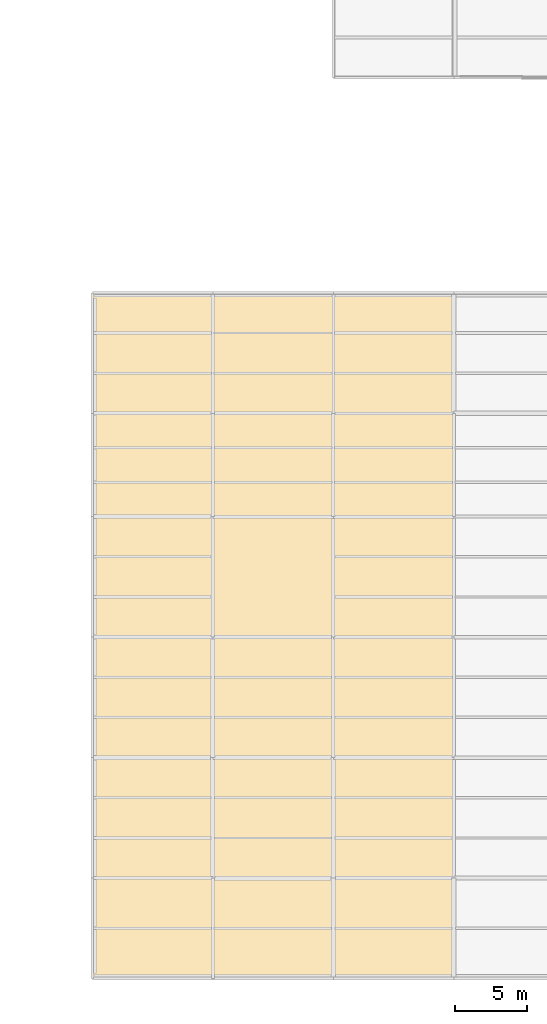
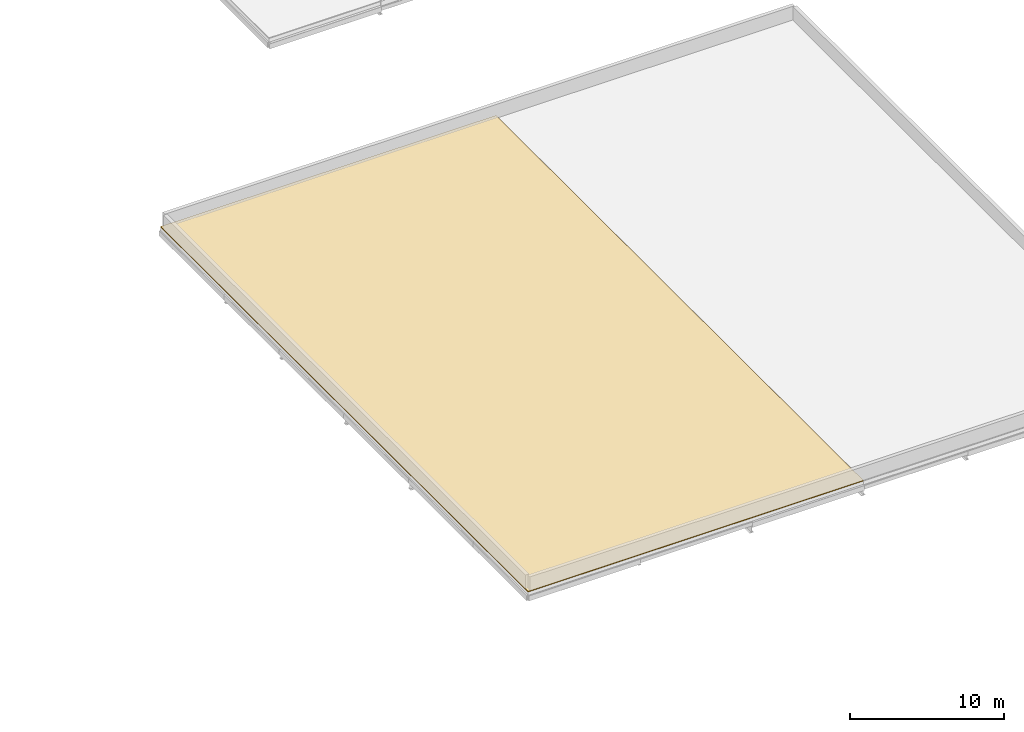
# One storey, part 64 of 68: 1 covering, 1 element without a shape of its own.
"""IFC4 building model written with IfcOpenShell, lengths in metres."""

from ifc_helpers import new_model, si_unit, direction, frame, origin_with_axes, place, context, subcontext, project, spatial, polyline, outline, extrude, material, type_object, element, aggregate, save


model = new_model("IFC4")

# Units and contexts
model_context = context("Model", 3, precision=1e-05, world=origin_with_axes(), true_north=direction((0.0, 1.0)))
body_context = subcontext(model_context, "Body", "Model", "MODEL_VIEW")
ifc_project = project(units=[si_unit("LENGTHUNIT", "METRE"), si_unit("AREAUNIT", "SQUARE_METRE"), si_unit("VOLUMEUNIT", "CUBIC_METRE"), si_unit("PLANEANGLEUNIT", "RADIAN"), si_unit("MASSUNIT", "GRAM", prefix="KILO"), si_unit("THERMODYNAMICTEMPERATUREUNIT", "KELVIN")], contexts=[model_context])

# Site, building, storey
site_placement = place(None, origin_with_axes())
site = spatial("IfcSite", under=ifc_project, at=site_placement, CompositionType="ELEMENT")
building_placement = place(site_placement, origin_with_axes())
building = spatial("IfcBuilding", under=site, at=building_placement, Name="Montbau Bow Law Courts", CompositionType="ELEMENT")
storey_placement = place(building_placement, frame((0.0, 0.0, 20.4), z_axis=(0.0, 0.0, 1.0), x_axis=(1.0, 0.0, 0.0)))
storey = spatial("IfcBuildingStorey", under=building, at=storey_placement, Name="L04", CompositionType="ELEMENT", Elevation=20.4)

# Roof, covering
ifc_material_1 = material(Name="Insulated Inverted Membrane Roof", Category="other")
roof_type = type_object("IfcRoofType", Name="RF-FL-01", PredefinedType="FLAT_ROOF", material=ifc_material_1)
roof_placement = place(None, frame((121.8, 6.8, 20.4), z_axis=(0.0, 0.0, 1.0), x_axis=(1.0, 0.0, 0.0)))
roof = element("IfcRoof", 1, at=roof_placement, inside=storey, type_object=roof_type, Name="ROOF-V6R:rof_0004", PredefinedType="FLAT_ROOF")
ifc_material_2 = material(Name="Standing-Seam Pre-Weathered Zinc Roofing Membrane", Category="steel")
covering_type = type_object("IfcCoveringType", Name="CV-ROF-01", PredefinedType="ROOFING", material=ifc_material_2)
covering_placement = place(None, frame((0.0, 0.0, 20.4), z_axis=(0.0, 0.0, 1.0), x_axis=(1.0, 0.0, 0.0)))
covering = element("IfcCovering", 2, at=covering_placement, type_object=covering_type, Name="CVR-V6R:cov_0004", PredefinedType="ROOFING", context=body_context, shape_type="SweptSolid", body=[
    extrude(outline(polyline([(121.8, 6.8), (146.996, 6.8), (146.996, 54.6), (121.8, 54.6), (121.8, 6.8)])), origin_with_axes(), (0.0, 0.0, 1.0), 0.06),
])
aggregate(roof, [covering])

save(model, "model.ifc")
